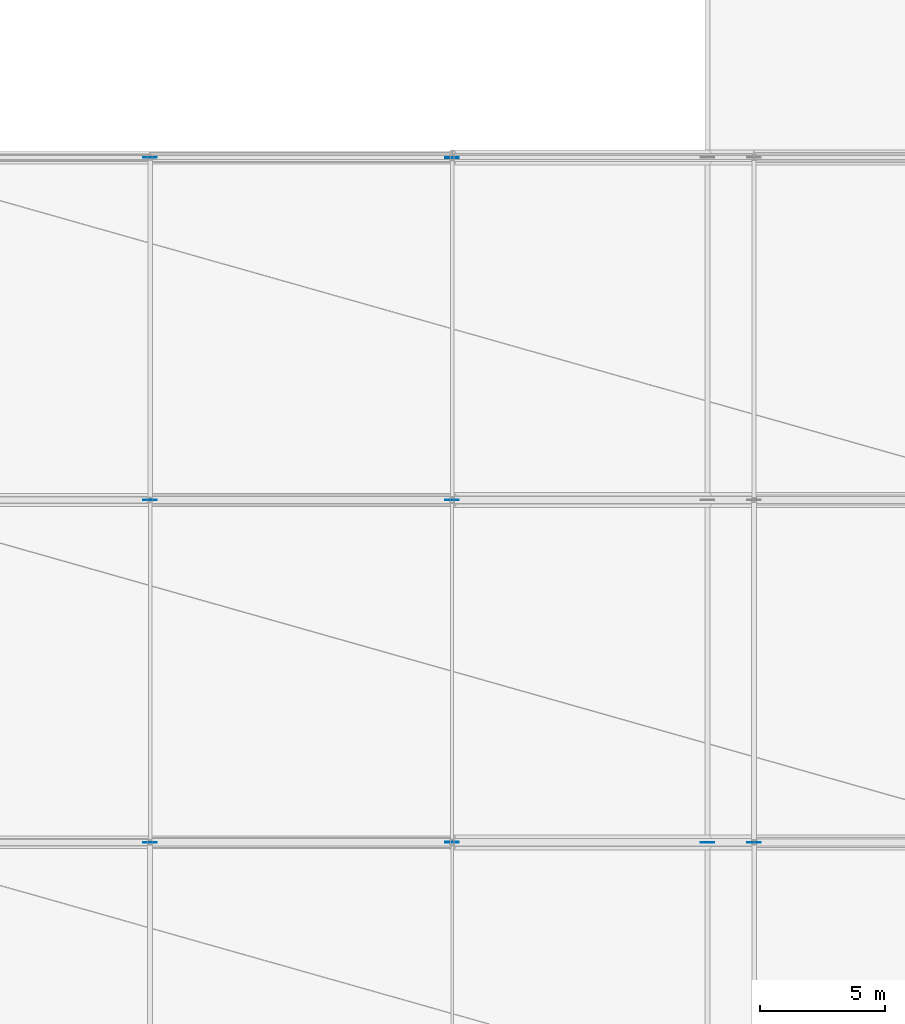
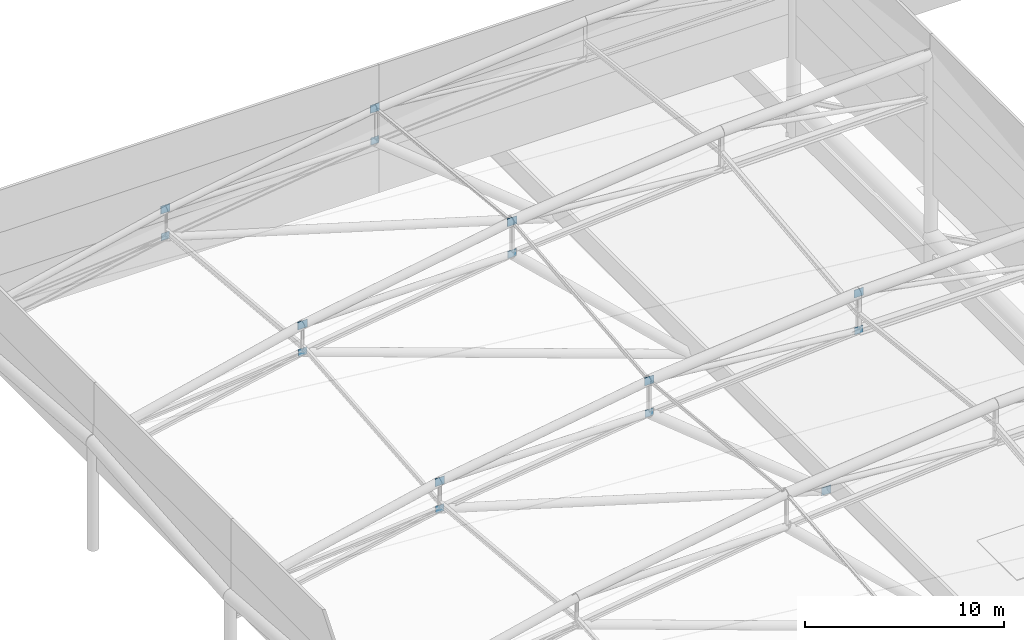
# One storey, part 90 of 113: 15 plates.
"""IFC4 building model written with IfcOpenShell, lengths in metres."""

from ifc_helpers import new_model, si_unit, direction, frame, origin, origin_2d, place, context, subcontext, project, spatial, rectangle, extrude, material, layer, layer_set, type_object, element, save


model = new_model("IFC4")

# Units and contexts
model_context = context("Model", 3, precision=1e-05, world=origin(), true_north=direction((0.0, 1.0)))
body_context = subcontext(model_context, "Body", "Model", "MODEL_VIEW")
ifc_project = project(units=[si_unit("LENGTHUNIT", "METRE"), si_unit("AREAUNIT", "SQUARE_METRE"), si_unit("VOLUMEUNIT", "CUBIC_METRE"), si_unit("PLANEANGLEUNIT", "RADIAN"), si_unit("MASSUNIT", "GRAM", prefix="KILO")], contexts=[model_context])

# Site, building, storey
site_placement = place(None, origin())
site = spatial("IfcSite", under=ifc_project, at=site_placement, CompositionType="ELEMENT")
building_placement = place(site_placement, origin())
building = spatial("IfcBuilding", under=site, at=building_placement, Name="Linyun Crest Stadium", CompositionType="ELEMENT")
storey_placement = place(building_placement, frame((0.0, 0.0, 26.39990234375)))
storey = spatial("IfcBuildingStorey", under=building, at=storey_placement, Name="L06", CompositionType="ELEMENT", Elevation=26.39990234375)

# Plates
ifc_material_1 = material(Name="Steel Q355C", Category="steel")
ifc_layer_1 = layer(ifc_material_1, 0.02392578125)
ifc_layer_set_1 = layer_set([ifc_layer_1], Name="Steel Q355C")
plate_type_1 = type_object("IfcPlateType", Name="NP01", PredefinedType="USERDEFINED", material=ifc_layer_set_1)
plate_1_placement = place(storey_placement, frame((47.625, 15.875, 7.93408203125), z_axis=(0.0, 0.0, 1.0), x_axis=(1.0, 0.0, 0.0)))
element("IfcPlate", 1, at=plate_1_placement, inside=storey, type_object=plate_type_1, Name="Roof truss node gusset plate NP01 174", ObjectType="GUSSET PLATE", PredefinedType="USERDEFINED", context=body_context, shape_type="SweptSolid", body=[
    extrude(rectangle(XDim=0.5400390625, YDim=0.02392578125, at=origin_2d()), origin(), (0.0, 0.0, 1.0), 0.47998046875),
])
for number, where, z_axis, x_axis, name in (
    (2, (71.875, 15.875, 8.717041015625), (0.0, 0.0, 1.0), (1.0, 0.0, 0.0), "Roof bottom-chord node gusset plate NP01 178"),
    (3, (59.75, 15.875, 7.903076171875), (0.0, 0.0, 1.0), (1.0, 0.0, 0.0), "Roof bottom-chord node gusset plate NP01 179"),
    (4, (47.625, 15.875, 6.2900390625), (0.0, 0.0, 1.0), (1.0, 0.0, 0.0), "Roof bottom-chord node gusset plate NP01 180"),
):
    element("IfcPlate", number, at=place(storey_placement, frame(where, z_axis=z_axis, x_axis=x_axis)), inside=storey, type_object=plate_type_1, Name=name, ObjectType="GUSSET PLATE", PredefinedType="USERDEFINED", context=body_context, shape_type="SweptSolid", body=[
        extrude(rectangle(XDim=0.47998046875, YDim=0.02392578125, at=origin_2d()), origin(), (0.0, 0.0, 1.0), 0.43994140625),
    ])
plate_2_placement = place(storey_placement, frame((47.625, 29.625, 9.18701171875), z_axis=(0.0, 0.0, 1.0), x_axis=(1.0, 0.0, 0.0)))
element("IfcPlate", 5, at=plate_2_placement, inside=storey, type_object=plate_type_1, Name="Roof truss node gusset plate NP01 187", ObjectType="GUSSET PLATE", PredefinedType="USERDEFINED", context=body_context, shape_type="SweptSolid", body=[
    extrude(rectangle(XDim=0.5400390625, YDim=0.02392578125, at=origin_2d()), origin(), (0.0, 0.0, 1.0), 0.47998046875),
])
for number, where, z_axis, x_axis, name in (
    (6, (59.75, 29.625, 9.30615234375), (0.0, 0.0, 1.0), (1.0, 0.0, 0.0), "Roof bottom-chord node gusset plate NP01 192"),
    (7, (47.625, 29.625, 7.543212890625), (0.0, 0.0, 1.0), (1.0, 0.0, 0.0), "Roof bottom-chord node gusset plate NP01 193"),
):
    element("IfcPlate", number, at=place(storey_placement, frame(where, z_axis=z_axis, x_axis=x_axis)), inside=storey, type_object=plate_type_1, Name=name, ObjectType="GUSSET PLATE", PredefinedType="USERDEFINED", context=body_context, shape_type="SweptSolid", body=[
        extrude(rectangle(XDim=0.47998046875, YDim=0.02392578125, at=origin_2d()), origin(), (0.0, 0.0, 1.0), 0.43994140625),
    ])
plate_3_placement = place(storey_placement, frame((47.625, 43.375, 7.93408203125), z_axis=(0.0, 0.0, 1.0), x_axis=(1.0, 0.0, 0.0)))
element("IfcPlate", 8, at=plate_3_placement, inside=storey, type_object=plate_type_1, Name="Roof truss node gusset plate NP01 200", ObjectType="GUSSET PLATE", PredefinedType="USERDEFINED", context=body_context, shape_type="SweptSolid", body=[
    extrude(rectangle(XDim=0.5400390625, YDim=0.02392578125, at=origin_2d()), origin(), (0.0, 0.0, 1.0), 0.47998046875),
])
for number, where, z_axis, x_axis, name in (
    (9, (59.75, 43.375, 7.903076171875), (0.0, 0.0, 1.0), (1.0, 0.0, 0.0), "Roof bottom-chord node gusset plate NP01 205"),
    (10, (47.625, 43.375, 6.2900390625), (0.0, 0.0, 1.0), (1.0, 0.0, 0.0), "Roof bottom-chord node gusset plate NP01 206"),
):
    element("IfcPlate", number, at=place(storey_placement, frame(where, z_axis=z_axis, x_axis=x_axis)), inside=storey, type_object=plate_type_1, Name=name, ObjectType="GUSSET PLATE", PredefinedType="USERDEFINED", context=body_context, shape_type="SweptSolid", body=[
        extrude(rectangle(XDim=0.47998046875, YDim=0.02392578125, at=origin_2d()), origin(), (0.0, 0.0, 1.0), 0.43994140625),
    ])
ifc_material_2 = material(Name="Steel Q420C", Category="steel")
ifc_layer_2 = layer(ifc_material_2, 0.028076171875)
ifc_layer_set_2 = layer_set([ifc_layer_2], Name="Steel Q420C")
plate_type_2 = type_object("IfcPlateType", Name="NP02", PredefinedType="USERDEFINED", material=ifc_layer_set_2)
for number, where, z_axis, x_axis, name in (
    (11, (71.875, 15.875, 10.985107421875), (0.0, 0.0, 1.0), (1.0, 0.0, 0.0), "Roof truss node gusset plate NP02 172"),
    (12, (70.0, 15.875, -0.454833984375), (0.0, 0.0, 1.0), (1.0, 0.0, 0.0), "Roof V-strut base gusset plate NP02 182"),
):
    element("IfcPlate", number, at=place(storey_placement, frame(where, z_axis=z_axis, x_axis=x_axis)), inside=storey, type_object=plate_type_2, Name=name, ObjectType="GUSSET PLATE", PredefinedType="USERDEFINED", context=body_context, shape_type="SweptSolid", body=[
        extrude(rectangle(XDim=0.5400390625, YDim=0.028076171875, at=origin_2d()), origin(), (0.0, 0.0, 1.0), 0.47998046875),
    ])
ifc_material_3 = material(Name="Steel Q420C", Category="steel")
ifc_layer_3 = layer(ifc_material_3, 0.035888671875)
ifc_layer_set_3 = layer_set([ifc_layer_3], Name="Steel Q420C")
plate_type_3 = type_object("IfcPlateType", Name="NP04", PredefinedType="USERDEFINED", material=ifc_layer_set_3)
for number, where, z_axis, x_axis, name in (
    (13, (59.75, 15.875, 9.859130859375), (0.0, 0.0, 1.0), (1.0, 0.0, 0.0), "Roof truss node gusset plate NP04 173"),
    (14, (59.75, 29.625, 11.26220703125), (0.0, 0.0, 1.0), (1.0, 0.0, 0.0), "Roof truss node gusset plate NP04 186"),
    (15, (59.75, 43.375, 9.859130859375), (0.0, 0.0, 1.0), (1.0, 0.0, 0.0), "Roof truss node gusset plate NP04 199"),
):
    element("IfcPlate", number, at=place(storey_placement, frame(where, z_axis=z_axis, x_axis=x_axis)), inside=storey, type_object=plate_type_3, Name=name, ObjectType="GUSSET PLATE", PredefinedType="USERDEFINED", context=body_context, shape_type="SweptSolid", body=[
        extrude(rectangle(XDim=0.5400390625, YDim=0.035888671875, at=origin_2d()), origin(), (0.0, 0.0, 1.0), 0.47998046875),
    ])

save(model, "model.ifc")
